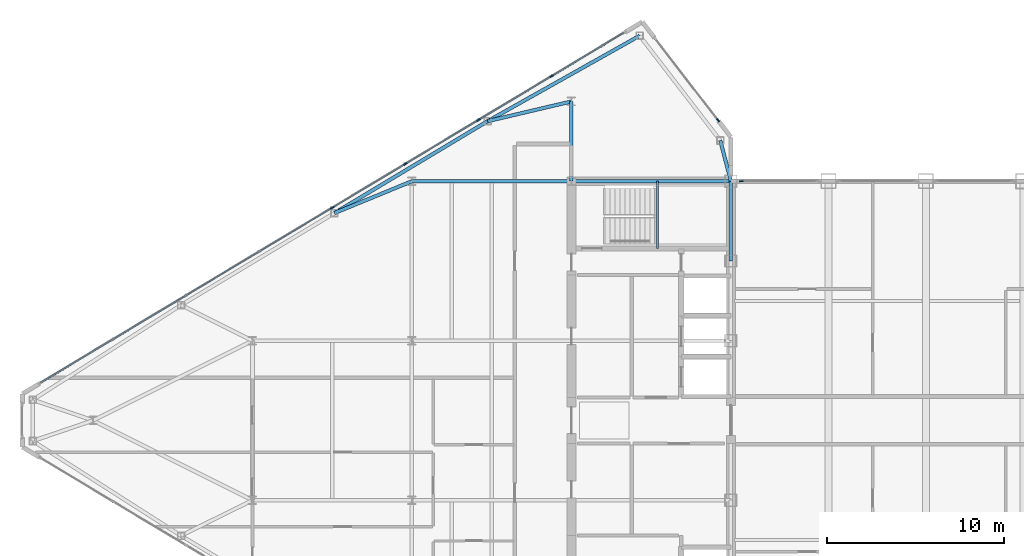
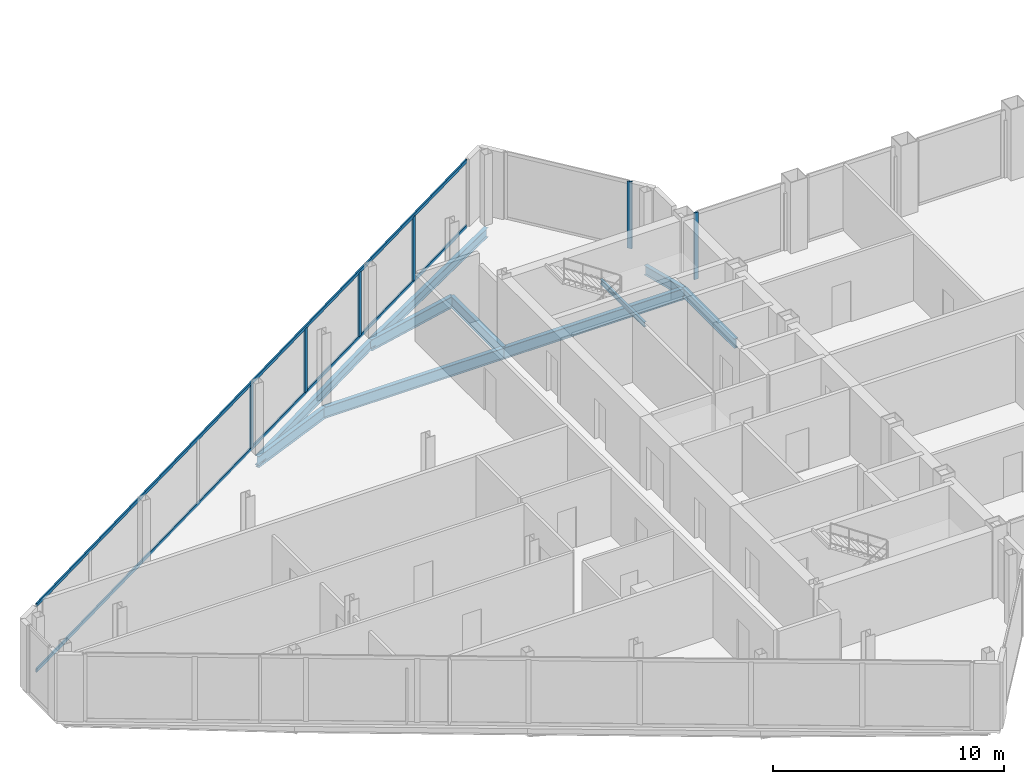
# One storey, part 11 of 29: 10 beams, 8 members, 3 elements without a shape of their own.
"""IFC4 building model written with IfcOpenShell, lengths in metres."""

from ifc_helpers import new_model, si_unit, direction, frame, origin, origin_2d, place, context, subcontext, project, spatial, rectangle, i_section, extrude, source, transform, mapped, material, layer, layer_set, material_profile, profile_set, type_object, type_shapes, element, aggregate, save


model = new_model("IFC4")

# Units and contexts
model_context = context("Model", 3, precision=1e-05, world=origin(), true_north=direction((0.0, 1.0)))
body_context = subcontext(model_context, "Body", "Model", "MODEL_VIEW")
ifc_project = project(units=[si_unit("LENGTHUNIT", "METRE"), si_unit("AREAUNIT", "SQUARE_METRE"), si_unit("VOLUMEUNIT", "CUBIC_METRE"), si_unit("PLANEANGLEUNIT", "RADIAN"), si_unit("MASSUNIT", "GRAM", prefix="KILO")], contexts=[model_context])

# Site, building, storey
site_placement = place(None, origin())
site = spatial("IfcSite", under=ifc_project, at=site_placement, CompositionType="ELEMENT")
building_placement = place(site_placement, origin())
building = spatial("IfcBuilding", under=site, at=building_placement, Name="Seokmaru Belvedere", CompositionType="ELEMENT")
storey_placement = place(building_placement, frame((0.0, 0.0, 246.89990234375)))
storey = spatial("IfcBuildingStorey", under=building, at=storey_placement, Name="L65", CompositionType="ELEMENT", Elevation=246.89990234375)

# Beams
ifc_material_1 = material(Name="Steel SM355 (355 MPa)", Category="steel")
ifc_material_profile_1 = material_profile(ifc_material_1, i_section(OverallWidth=0.199951171875, OverallDepth=0.5, WebThickness=0.010009765625, FlangeThickness=0.01611328125, at=origin_2d()), Name="H-500x200x10x16")
ifc_profile_set_1 = profile_set([ifc_material_profile_1], Name="Steel SM355 (355 MPa)")
beam_type_1 = type_object("IfcBeamType", Name="Perimeter Spandrel Beam H-500", PredefinedType="SPANDREL", material=ifc_profile_set_1)
shared_shape_1 = source(origin(), body_context, "Body", "SweptSolid", [
    extrude(i_section(OverallWidth=0.199951171875, OverallDepth=0.5, WebThickness=0.010009765625, FlangeThickness=0.01611328125, at=origin_2d()), origin(), (0.0, 0.0, 1.0), 4.5),
])
beam_1_placement = place(storey_placement, frame((-27.5, 9.0, -0.469970703125), z_axis=(0.0, 1.0, 0.0), x_axis=(-1.0, 0.0, 0.0)))
element("IfcBeam", 1, at=beam_1_placement, inside=storey, type_object=beam_type_1, Name="L65 W Portal Spine Spandrel 5", PredefinedType="SPANDREL", context=body_context, shape_type="MappedRepresentation", body=[
    mapped(shared_shape_1, transform((0.0, 0.0, 0.0), scale=1.0)),
])
ifc_material_profile_2 = material_profile(ifc_material_1, i_section(OverallWidth=0.199951171875, OverallDepth=0.60009765625, WebThickness=0.010986328125, FlangeThickness=0.01708984375, at=origin_2d()), Name="H-600x200x11x17")
ifc_profile_set_2 = profile_set([ifc_material_profile_2], Name="Steel SM355 (355 MPa)")
beam_type_2 = type_object("IfcBeamType", Name="Primary Floor Girder H-600", PredefinedType="BEAM", material=ifc_profile_set_2)
shared_shape_2 = source(origin(), body_context, "Body", "SweptSolid", [
    extrude(i_section(OverallWidth=0.199951171875, OverallDepth=0.60009765625, WebThickness=0.010986328125, FlangeThickness=0.01708984375, at=origin_2d()), origin(), (0.0, 0.0, 1.0), 9.0),
])
for number, where, z_axis, x_axis, name in (
    (2, (-36.5, 13.5, -0.52001953125), (1.0, 0.0, 0.0), (0.0, 1.0, 0.0), "L65 W Core Tie Girder 4"),
    (3, (-45.5, 13.5, -0.52001953125), (1.0, 0.0, 0.0), (0.0, 1.0, 0.0), "L65 W Wing Primary Girder 4"),
):
    element("IfcBeam", number, at=place(storey_placement, frame(where, z_axis=z_axis, x_axis=x_axis)), inside=storey, type_object=beam_type_2, Name=name, PredefinedType="BEAM", context=body_context, shape_type="MappedRepresentation", body=[
        mapped(shared_shape_2, transform((0.0, 0.0, 0.0), scale=1.0)),
    ])
shared_shape_3 = source(origin(), body_context, "Body", "SweptSolid", [
    extrude(i_section(OverallWidth=0.199951171875, OverallDepth=0.60009765625, WebThickness=0.010986328125, FlangeThickness=0.01708984375, at=origin_2d()), origin(), (0.0, 0.0, 1.0), 4.5),
])
beam_2_placement = place(storey_placement, frame((-36.5, 13.5, -0.52001953125), z_axis=(0.0, 1.0, 0.0), x_axis=(-1.0, 0.0, 0.0)))
element("IfcBeam", 4, at=beam_2_placement, inside=storey, type_object=beam_type_2, Name="L65 W Core Shoulder Girder N", PredefinedType="BEAM", context=body_context, shape_type="MappedRepresentation", body=[
    mapped(shared_shape_3, transform((0.0, 0.0, 0.0), scale=1.0)),
])
shared_shape_4 = source(origin(), body_context, "Body", "SweptSolid", [
    extrude(i_section(OverallWidth=0.199951171875, OverallDepth=0.5, WebThickness=0.010009765625, FlangeThickness=0.01611328125, at=origin_2d()), origin(), (0.0, 0.0, 1.0), 9.842041015625),
])
beam_3_placement = place(storey_placement, frame((-32.649658203125, 21.71044921875, -0.469970703125), z_axis=(-0.871782151818, -0.489893743349, 0.0), x_axis=(0.489893743349, -0.871782151818, 0.0)))
element("IfcBeam", 5, at=beam_3_placement, inside=storey, type_object=beam_type_1, Name="L65 W Faceted Flank Spandrel N-1", PredefinedType="SPANDREL", context=body_context, shape_type="MappedRepresentation", body=[
    mapped(shared_shape_4, transform((0.0, 0.0, 0.0), scale=1.0)),
])
shared_shape_5 = source(origin(), body_context, "Body", "SweptSolid", [
    extrude(i_section(OverallWidth=0.199951171875, OverallDepth=0.5, WebThickness=0.010009765625, FlangeThickness=0.01611328125, at=origin_2d()), origin(), (0.0, 0.0, 1.0), 10.087646484375),
])
beam_4_placement = place(storey_placement, frame((-41.229736328125, 16.888916015625, -0.469970703125), z_axis=(-0.857499332045, -0.514485078056, 0.0), x_axis=(0.514485078056, -0.857499332045, 0.0)))
element("IfcBeam", 6, at=beam_4_placement, inside=storey, type_object=beam_type_1, Name="L65 W Faceted Flank Spandrel N-2", PredefinedType="SPANDREL", context=body_context, shape_type="MappedRepresentation", body=[
    mapped(shared_shape_5, transform((0.0, 0.0, 0.0), scale=1.0)),
])
shared_shape_6 = source(origin(), body_context, "Body", "SweptSolid", [
    extrude(i_section(OverallWidth=0.199951171875, OverallDepth=0.5, WebThickness=0.010009765625, FlangeThickness=0.01611328125, at=origin_2d()), origin(), (0.0, 0.0, 1.0), 2.373046875),
])
type_shapes(beam_type_1, [shared_shape_1, shared_shape_4, shared_shape_5, shared_shape_6])
beam_5_placement = place(storey_placement, frame((-28.10009765625, 15.7958984375, -0.469970703125), z_axis=(0.252882558842, -0.967496982648, 0.0), x_axis=(0.967496982648, 0.252882558842, 0.0)))
element("IfcBeam", 7, at=beam_5_placement, inside=storey, type_object=beam_type_1, Name="L65 W Shoulder Spine Spandrel N", PredefinedType="SPANDREL", context=body_context, shape_type="MappedRepresentation", body=[
    mapped(shared_shape_6, transform((0.0, 0.0, 0.0), scale=1.0)),
])
shared_shape_7 = source(origin(), body_context, "Body", "SweptSolid", [
    extrude(i_section(OverallWidth=0.199951171875, OverallDepth=0.60009765625, WebThickness=0.010986328125, FlangeThickness=0.01708984375, at=origin_2d()), origin(), (0.0, 0.0, 1.0), 4.8583984375),
])
beam_6_placement = place(storey_placement, frame((-41.229736328125, 16.888916015625, -0.52001953125), z_axis=(0.97349948295, 0.228689214211, 0.0), x_axis=(-0.228689214211, 0.97349948295, 0.0)))
element("IfcBeam", 8, at=beam_6_placement, inside=storey, type_object=beam_type_2, Name="L65 W Flank Radial Floor Girder N-1", PredefinedType="BEAM", context=body_context, shape_type="MappedRepresentation", body=[
    mapped(shared_shape_7, transform((0.0, 0.0, 0.0), scale=1.0)),
])
shared_shape_8 = source(origin(), body_context, "Body", "SweptSolid", [
    extrude(i_section(OverallWidth=0.199951171875, OverallDepth=0.60009765625, WebThickness=0.010986328125, FlangeThickness=0.01708984375, at=origin_2d()), origin(), (0.0, 0.0, 1.0), 4.73583984375),
])
type_shapes(beam_type_2, [shared_shape_2, shared_shape_3, shared_shape_7, shared_shape_8])
beam_7_placement = place(storey_placement, frame((-49.8798828125, 11.698974609375, -0.52001953125), z_axis=(0.924860562953, 0.380306375301, 0.0), x_axis=(-0.380306375301, 0.924860562953, 0.0)))
element("IfcBeam", 9, at=beam_7_placement, inside=storey, type_object=beam_type_2, Name="L65 W Flank Radial Floor Girder N-2", PredefinedType="BEAM", context=body_context, shape_type="MappedRepresentation", body=[
    mapped(shared_shape_8, transform((0.0, 0.0, 0.0), scale=1.0)),
])

# Curtain wall, members
ifc_material_2 = material(Name="Bronze Triple Insulating Glass", Category="glass")
ifc_layer = layer(ifc_material_2, 0.219970703125)
ifc_layer_set = layer_set([ifc_layer], Name="Bronze Triple Insulating Glass")
curtain_wall_type = type_object("IfcCurtainWallType", Name="Sky-Gate Bridge Panorama Curtain Wall System CW-6", PredefinedType="NOTDEFINED", material=ifc_layer_set)
curtain_wall_1_placement = place(storey_placement, origin())
curtain_wall_1 = element("IfcCurtainWall", 10, at=curtain_wall_1_placement, inside=storey, type_object=curtain_wall_type, Name="L65 Curtain Wall WF3", PredefinedType="NOTDEFINED")
ifc_material_3 = material(Name="Anodised Bronze Aluminium", Category="aluminium")
ifc_material_profile_3 = material_profile(ifc_material_3, rectangle(XDim=0.074951171875, YDim=0.179931640625, at=origin_2d()), Name="CW-T-75x180")
ifc_profile_set_3 = profile_set([ifc_material_profile_3], Name="Anodised Bronze Aluminium")
member_type_1 = type_object("IfcMemberType", Name="Bronze Unitised Transom 75x180", PredefinedType="USERDEFINED", material=ifc_profile_set_3)
shared_shape_9 = source(origin(), body_context, "Body", "SweptSolid", [
    extrude(rectangle(XDim=0.074951171875, YDim=0.179931640625, at=origin_2d()), origin(), (0.0, 0.0, 1.0), 38.356689453125),
])
type_shapes(member_type_1, [shared_shape_9])
member_1_placement = place(storey_placement, frame((-33.5546875, 21.8671875, 0.03759765625), z_axis=(-0.857492925713, -0.514495755428, 0.0), x_axis=(0.514495755428, -0.857492925713, 0.0)))
member_1 = element("IfcMember", 11, at=member_1_placement, type_object=member_type_1, Name="CW:L65:WF3 Continuous Transom 1", ObjectType="TRANSOM", PredefinedType="USERDEFINED", context=body_context, shape_type="MappedRepresentation", body=[
    mapped(shared_shape_9, transform((0.0, 0.0, 0.0), scale=1.0)),
])
member_2_placement = place(storey_placement, frame((-33.5546875, 21.8671875, 3.49267578125), z_axis=(-0.857492925713, -0.514495755428, 0.0), x_axis=(0.514495755428, -0.857492925713, 0.0)))
member_2 = element("IfcMember", 12, at=member_2_placement, type_object=member_type_1, Name="CW:L65:WF3 Continuous Transom 2", ObjectType="TRANSOM", PredefinedType="USERDEFINED", context=body_context, shape_type="MappedRepresentation", body=[
    mapped(shared_shape_9, transform((0.0, 0.0, 0.0), scale=1.0)),
])

# Curtain wall, member
curtain_wall_2_placement = place(storey_placement, origin())
curtain_wall_2 = element("IfcCurtainWall", 13, at=curtain_wall_2_placement, inside=storey, type_object=curtain_wall_type, Name="L65 Curtain Wall WF2", PredefinedType="NOTDEFINED")
ifc_material_profile_4 = material_profile(ifc_material_3, rectangle(XDim=0.080078125, YDim=0.219970703125, at=origin_2d()), Name="CW-M-80x220")
ifc_profile_set_4 = profile_set([ifc_material_profile_4], Name="Anodised Bronze Aluminium")
member_type_2 = type_object("IfcMemberType", Name="Bronze Unitised Mullion 80x220", PredefinedType="MULLION", material=ifc_profile_set_4)
shared_shape_10 = source(origin(), body_context, "Body", "SweptSolid", [
    extrude(rectangle(XDim=0.080078125, YDim=0.219970703125, at=origin_2d()), origin(), (0.0, 0.0, 1.0), 3.530029296875),
])
member_3_placement = place(storey_placement, frame((-28.2255859375, 16.943115234375, 0.0), z_axis=(0.0, 0.0, 1.0), x_axis=(-0.792631353244, -0.609701187349, 0.0)))
member_3 = element("IfcMember", 14, at=member_3_placement, type_object=member_type_2, Name="CW:L65:WF2 Mullion 1", PredefinedType="MULLION", context=body_context, shape_type="MappedRepresentation", body=[
    mapped(shared_shape_10, transform((0.0, 0.0, 0.0), scale=1.0)),
])
aggregate(curtain_wall_2, [member_3])

curtain_wall_3_placement = place(storey_placement, origin())
curtain_wall_3 = element("IfcCurtainWall", 15, at=curtain_wall_3_placement, inside=storey, type_object=curtain_wall_type, Name="L65 Curtain Wall BR_N01", PredefinedType="NOTDEFINED")
member_4_placement = place(storey_placement, frame((-26.909912109375, 13.5, 0.0), z_axis=(0.0, 0.0, 1.0), x_axis=(0.0, -1.0, 0.0)))
member_4 = element("IfcMember", 16, at=member_4_placement, type_object=member_type_2, Name="CW:L65:BR_N01 Mullion 2", PredefinedType="MULLION", context=body_context, shape_type="MappedRepresentation", body=[
    mapped(shared_shape_10, transform((0.0, 0.0, 0.0), scale=1.0)),
])
aggregate(curtain_wall_3, [member_4])

# Member
shared_shape_11 = source(origin(), body_context, "Body", "SweptSolid", [
    extrude(rectangle(XDim=0.080078125, YDim=0.219970703125, at=origin_2d()), origin(), (0.0, 0.0, 1.0), 3.3798828125),
])
type_shapes(member_type_2, [shared_shape_10, shared_shape_11])
member_5_placement = place(storey_placement, frame((-37.614501953125, 19.43115234375, 0.0751953125), z_axis=(0.0, 0.0, 1.0), x_axis=(0.514494909364, -0.85749343335, 0.0)))
member_5 = element("IfcMember", 17, at=member_5_placement, type_object=member_type_2, Name="CW:L65:WF3 Mullion 2", PredefinedType="MULLION", context=body_context, shape_type="MappedRepresentation", body=[
    mapped(shared_shape_11, transform((0.0, 0.0, 0.0), scale=1.0)),
])

member_6_placement = place(storey_placement, frame((-41.7431640625, 16.9541015625, 0.0751953125), z_axis=(0.0, 0.0, 1.0), x_axis=(0.514494909364, -0.85749343335, 0.0)))
member_6 = element("IfcMember", 18, at=member_6_placement, type_object=member_type_2, Name="CW:L65:WF3 Mullion 3", PredefinedType="MULLION", context=body_context, shape_type="MappedRepresentation", body=[
    mapped(shared_shape_11, transform((0.0, 0.0, 0.0), scale=1.0)),
])

member_7_placement = place(storey_placement, frame((-45.87158203125, 14.47705078125, 0.0751953125), z_axis=(0.0, 0.0, 1.0), x_axis=(0.514494909364, -0.85749343335, 0.0)))
member_7 = element("IfcMember", 19, at=member_7_placement, type_object=member_type_2, Name="CW:L65:WF3 Mullion 4", PredefinedType="MULLION", context=body_context, shape_type="MappedRepresentation", body=[
    mapped(shared_shape_11, transform((0.0, 0.0, 0.0), scale=1.0)),
])

member_8_placement = place(storey_placement, frame((-50.0, 12.0, 0.0751953125), z_axis=(0.0, 0.0, 1.0), x_axis=(0.514494909364, -0.85749343335, 0.0)))
member_8 = element("IfcMember", 20, at=member_8_placement, type_object=member_type_2, Name="CW:L65:WF3 Mullion 5", PredefinedType="MULLION", context=body_context, shape_type="MappedRepresentation", body=[
    mapped(shared_shape_11, transform((0.0, 0.0, 0.0), scale=1.0)),
])

aggregate(curtain_wall_1, [member_5, member_6, member_7, member_8, member_1, member_2])

# Beam
ifc_material_profile_5 = material_profile(ifc_material_1, i_section(OverallWidth=0.125, OverallDepth=0.25, WebThickness=0.006103515625, FlangeThickness=0.009033203125, at=origin_2d()), Name="H-250x125x6x9")
ifc_profile_set_5 = profile_set([ifc_material_profile_5], Name="Steel SM355 (355 MPa)")
beam_type_3 = type_object("IfcBeamType", Name="Stair Mid-Landing Support Beam H-250", PredefinedType="JOIST", material=ifc_profile_set_5)
shared_shape_12 = source(origin(), body_context, "Body", "SweptSolid", [
    extrude(i_section(OverallWidth=0.125, OverallDepth=0.25, WebThickness=0.006103515625, FlangeThickness=0.009033203125, at=origin_2d()), origin(), (0.0, 0.0, 1.0), 3.800048828125),
])
type_shapes(beam_type_3, [shared_shape_12])
beam_8_placement = place(storey_placement, frame((-31.64990234375, 9.699951171875, 1.550048828125), z_axis=(0.0, 1.0, 0.0), x_axis=(-1.0, 0.0, 0.0)))
element("IfcBeam", 21, at=beam_8_placement, inside=storey, type_object=beam_type_3, Name="L65 Stair ST-W2 Mid-Landing Support Beam 1", PredefinedType="JOIST", context=body_context, shape_type="MappedRepresentation", body=[
    mapped(shared_shape_12, transform((0.0, 0.0, 0.0), scale=1.0)),
])

save(model, "model.ifc")
